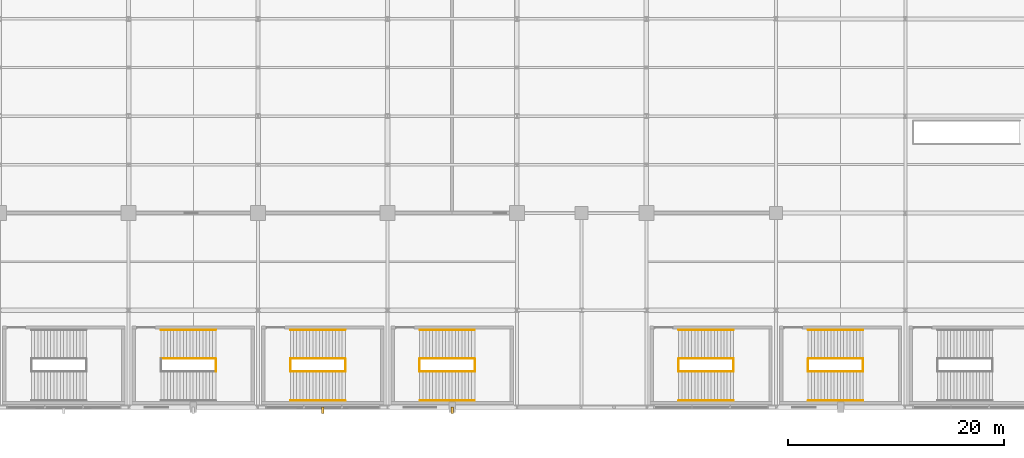
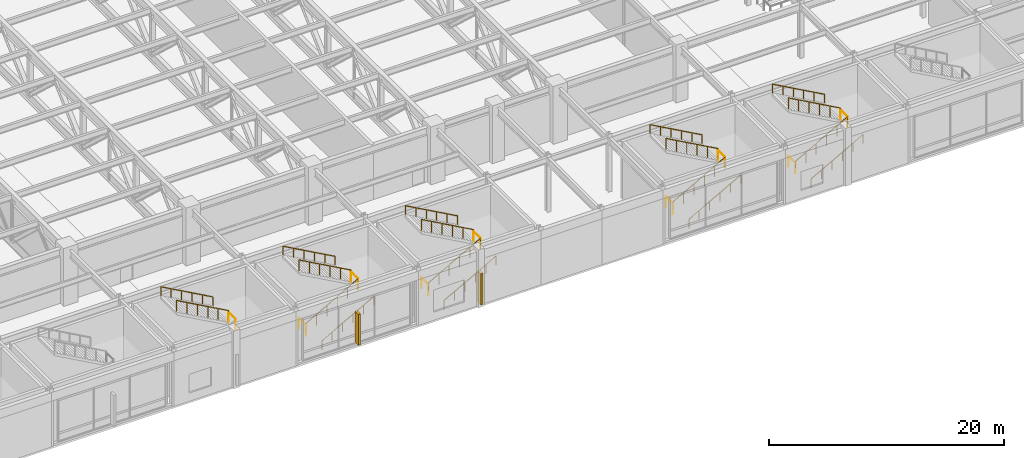
# One storey, part 102 of 108: 27 railings, 2 shading devices.
"""IFC4 building model written with IfcOpenShell, lengths in metres."""

from ifc_helpers import new_model, si_unit, direction, frame, origin, origin_2d, place, context, subcontext, project, spatial, rectangle, circle, extrude, material, type_object, element, save


model = new_model("IFC4")

# Units and contexts
model_context = context("Model", 3, precision=1e-05, world=origin(), true_north=direction((0.0, 1.0)))
body_context = subcontext(model_context, "Body", "Model", "MODEL_VIEW")
ifc_project = project(units=[si_unit("LENGTHUNIT", "METRE"), si_unit("AREAUNIT", "SQUARE_METRE"), si_unit("VOLUMEUNIT", "CUBIC_METRE"), si_unit("PLANEANGLEUNIT", "RADIAN"), si_unit("MASSUNIT", "GRAM", prefix="KILO")], contexts=[model_context])

# Site, building, storey
site_placement = place(None, origin())
site = spatial("IfcSite", under=ifc_project, at=site_placement, CompositionType="ELEMENT")
building_placement = place(site_placement, origin())
building = spatial("IfcBuilding", under=site, at=building_placement, Name="Kaldorvane Square Convention Centre", CompositionType="ELEMENT")
storey_placement = place(building_placement, frame((0.0, 0.0, 12.0)))
storey = spatial("IfcBuildingStorey", under=building, at=storey_placement, Name="L02", CompositionType="ELEMENT", Elevation=12.0)

# Railings
ifc_material_1 = material(Name="Architectural Painted Steel", Category="steel")
railing_type_1 = type_object("IfcRailingType", Name="RL-GUARD-1120", PredefinedType="BALUSTRADE", material=ifc_material_1)
railing_1_placement = place(storey_placement, frame((62.089996337890625, 3.30999755859375, 3.0)))
element("IfcRailing", 1, at=railing_1_placement, inside=storey, type_object=railing_type_1, Name="Convention Exit Stair C5 Half-Landing Guard (L02)", PredefinedType="BALUSTRADE", context=body_context, shape_type="SweptSolid", body=[
    extrude(circle(Radius=0.0240020751953125, at=origin_2d()), frame((0.0, 0.0, 1.0959930419921875), z_axis=(0.0, 1.0, 0.0), x_axis=(-1.0, 0.0, 0.0)), (0.0, 0.0, 1.0), 1.19000244140625),
    extrude(circle(Radius=0.02099609375, at=origin_2d()), origin(), (0.0, 0.0, 1.0), 1.071990966796875),
    extrude(circle(Radius=0.02099609375, at=origin_2d()), frame((0.0, 1.19000244140625, 0.0)), (0.0, 0.0, 1.0), 1.071990966796875),
])
railing_2_placement = place(storey_placement, frame((62.089996337890625, 4.5099945068359375, 3.1666717529296875)))
element("IfcRailing", 2, at=railing_2_placement, inside=storey, type_object=railing_type_1, Name="Convention Exit Stair C5 Flight 2 Guard (L02)", PredefinedType="BALUSTRADE", context=body_context, shape_type="SweptSolid", body=[
    extrude(circle(Radius=0.0240020751953125, at=origin_2d()), frame((0.0, 0.0, 1.0959930419921875), z_axis=(-0.874157276122, 0.0, 0.485642931179), x_axis=(0.0, -1.0, 0.0)), (0.0, 0.0, 1.0), 5.8341827392578125),
    extrude(circle(Radius=0.02099609375, at=origin_2d()), origin(), (0.0, 0.0, 1.0), 1.071990966796875),
    extrude(circle(Radius=0.02099609375, at=origin_2d()), frame((-1.0200042724609375, 0.0, 0.5666656494140625)), (0.0, 0.0, 1.0), 1.071990966796875),
    extrude(circle(Radius=0.02099609375, at=origin_2d()), frame((-2.0399932861328125, 0.0, 1.133331298828125)), (0.0, 0.0, 1.0), 1.071990966796875),
    extrude(circle(Radius=0.02099609375, at=origin_2d()), frame((-3.05999755859375, 0.0, 1.6999969482421875)), (0.0, 0.0, 1.0), 1.071990966796875),
    extrude(circle(Radius=0.02099609375, at=origin_2d()), frame((-4.079986572265625, 0.0, 2.26666259765625)), (0.0, 0.0, 1.0), 1.071990966796875),
    extrude(circle(Radius=0.02099609375, at=origin_2d()), frame((-5.0999908447265625, 0.0, 2.8333282470703125)), (0.0, 0.0, 1.0), 1.071990966796875),
])
for number, where, name in (
    (3, (68.99000549316406, 3.30999755859375, 0.0), "Convention Exit Stair C6 Floor Well Guard (L02)"),
    (4, (74.08999633789062, 3.30999755859375, 3.0), "Convention Exit Stair C6 Half-Landing Guard (L02)"),
):
    element("IfcRailing", number, at=place(storey_placement, frame(where)), inside=storey, type_object=railing_type_1, Name=name, PredefinedType="BALUSTRADE", context=body_context, shape_type="SweptSolid", body=[
        extrude(circle(Radius=0.0240020751953125, at=origin_2d()), frame((0.0, 0.0, 1.0959930419921875), z_axis=(0.0, 1.0, 0.0), x_axis=(-1.0, 0.0, 0.0)), (0.0, 0.0, 1.0), 1.19000244140625),
        extrude(circle(Radius=0.02099609375, at=origin_2d()), origin(), (0.0, 0.0, 1.0), 1.071990966796875),
        extrude(circle(Radius=0.02099609375, at=origin_2d()), frame((0.0, 1.19000244140625, 0.0)), (0.0, 0.0, 1.0), 1.071990966796875),
    ])
railing_3_placement = place(storey_placement, frame((68.99000549316406, 3.3000030517578125, 0.1666717529296875)))
element("IfcRailing", 5, at=railing_3_placement, inside=storey, type_object=railing_type_1, Name="Convention Exit Stair C6 Flight 1 Guard (L02)", PredefinedType="BALUSTRADE", context=body_context, shape_type="SweptSolid", body=[
    extrude(circle(Radius=0.0240020751953125, at=origin_2d()), frame((0.0, 0.0, 1.0959930419921875), z_axis=(0.874157276122, 0.0, 0.485642931179), x_axis=(0.0, 1.0, 0.0)), (0.0, 0.0, 1.0), 5.8341827392578125),
    extrude(circle(Radius=0.02099609375, at=origin_2d()), origin(), (0.0, 0.0, 1.0), 1.071990966796875),
    extrude(circle(Radius=0.02099609375, at=origin_2d()), frame((1.0200042724609375, 0.0, 0.5666656494140625)), (0.0, 0.0, 1.0), 1.071990966796875),
    extrude(circle(Radius=0.02099609375, at=origin_2d()), frame((2.0399932861328125, 0.0, 1.133331298828125)), (0.0, 0.0, 1.0), 1.071990966796875),
    extrude(circle(Radius=0.02099609375, at=origin_2d()), frame((3.05999755859375, 0.0, 1.6999969482421875)), (0.0, 0.0, 1.0), 1.071990966796875),
    extrude(circle(Radius=0.02099609375, at=origin_2d()), frame((4.079986572265625, 0.0, 2.26666259765625)), (0.0, 0.0, 1.0), 1.071990966796875),
    extrude(circle(Radius=0.02099609375, at=origin_2d()), frame((5.0999908447265625, 0.0, 2.8333282470703125)), (0.0, 0.0, 1.0), 1.071990966796875),
])
railing_4_placement = place(storey_placement, frame((74.08999633789062, 4.5099945068359375, 3.1666717529296875)))
element("IfcRailing", 6, at=railing_4_placement, inside=storey, type_object=railing_type_1, Name="Convention Exit Stair C6 Flight 2 Guard (L02)", PredefinedType="BALUSTRADE", context=body_context, shape_type="SweptSolid", body=[
    extrude(circle(Radius=0.0240020751953125, at=origin_2d()), frame((0.0, 0.0, 1.0959930419921875), z_axis=(-0.874157276122, 0.0, 0.485642931179), x_axis=(0.0, -1.0, 0.0)), (0.0, 0.0, 1.0), 5.8341827392578125),
    extrude(circle(Radius=0.02099609375, at=origin_2d()), origin(), (0.0, 0.0, 1.0), 1.071990966796875),
    extrude(circle(Radius=0.02099609375, at=origin_2d()), frame((-1.0200042724609375, 0.0, 0.5666656494140625)), (0.0, 0.0, 1.0), 1.071990966796875),
    extrude(circle(Radius=0.02099609375, at=origin_2d()), frame((-2.0399932861328125, 0.0, 1.133331298828125)), (0.0, 0.0, 1.0), 1.071990966796875),
    extrude(circle(Radius=0.02099609375, at=origin_2d()), frame((-3.05999755859375, 0.0, 1.6999969482421875)), (0.0, 0.0, 1.0), 1.071990966796875),
    extrude(circle(Radius=0.02099609375, at=origin_2d()), frame((-4.079986572265625, 0.0, 2.26666259765625)), (0.0, 0.0, 1.0), 1.071990966796875),
    extrude(circle(Radius=0.02099609375, at=origin_2d()), frame((-5.0999908447265625, 0.0, 2.8333282470703125)), (0.0, 0.0, 1.0), 1.071990966796875),
])
for number, where, name in (
    (7, (80.99000549316406, 3.30999755859375, 0.0), "Convention Exit Stair C7 Floor Well Guard (L02)"),
    (8, (86.08999633789062, 3.30999755859375, 3.0), "Convention Exit Stair C7 Half-Landing Guard (L02)"),
):
    element("IfcRailing", number, at=place(storey_placement, frame(where)), inside=storey, type_object=railing_type_1, Name=name, PredefinedType="BALUSTRADE", context=body_context, shape_type="SweptSolid", body=[
        extrude(circle(Radius=0.0240020751953125, at=origin_2d()), frame((0.0, 0.0, 1.0959930419921875), z_axis=(0.0, 1.0, 0.0), x_axis=(-1.0, 0.0, 0.0)), (0.0, 0.0, 1.0), 1.19000244140625),
        extrude(circle(Radius=0.02099609375, at=origin_2d()), origin(), (0.0, 0.0, 1.0), 1.071990966796875),
        extrude(circle(Radius=0.02099609375, at=origin_2d()), frame((0.0, 1.19000244140625, 0.0)), (0.0, 0.0, 1.0), 1.071990966796875),
    ])
railing_5_placement = place(storey_placement, frame((80.99000549316406, 3.3000030517578125, 0.1666717529296875)))
element("IfcRailing", 9, at=railing_5_placement, inside=storey, type_object=railing_type_1, Name="Convention Exit Stair C7 Flight 1 Guard (L02)", PredefinedType="BALUSTRADE", context=body_context, shape_type="SweptSolid", body=[
    extrude(circle(Radius=0.0240020751953125, at=origin_2d()), frame((0.0, 0.0, 1.0959930419921875), z_axis=(0.874157276122, 0.0, 0.485642931179), x_axis=(0.0, 1.0, 0.0)), (0.0, 0.0, 1.0), 5.8341827392578125),
    extrude(circle(Radius=0.02099609375, at=origin_2d()), origin(), (0.0, 0.0, 1.0), 1.071990966796875),
    extrude(circle(Radius=0.02099609375, at=origin_2d()), frame((1.0200042724609375, 0.0, 0.5666656494140625)), (0.0, 0.0, 1.0), 1.071990966796875),
    extrude(circle(Radius=0.02099609375, at=origin_2d()), frame((2.0399932861328125, 0.0, 1.133331298828125)), (0.0, 0.0, 1.0), 1.071990966796875),
    extrude(circle(Radius=0.02099609375, at=origin_2d()), frame((3.05999755859375, 0.0, 1.6999969482421875)), (0.0, 0.0, 1.0), 1.071990966796875),
    extrude(circle(Radius=0.02099609375, at=origin_2d()), frame((4.079986572265625, 0.0, 2.26666259765625)), (0.0, 0.0, 1.0), 1.071990966796875),
    extrude(circle(Radius=0.02099609375, at=origin_2d()), frame((5.0999908447265625, 0.0, 2.8333282470703125)), (0.0, 0.0, 1.0), 1.071990966796875),
])
railing_6_placement = place(storey_placement, frame((86.08999633789062, 4.5099945068359375, 3.1666717529296875)))
element("IfcRailing", 10, at=railing_6_placement, inside=storey, type_object=railing_type_1, Name="Convention Exit Stair C7 Flight 2 Guard (L02)", PredefinedType="BALUSTRADE", context=body_context, shape_type="SweptSolid", body=[
    extrude(circle(Radius=0.0240020751953125, at=origin_2d()), frame((0.0, 0.0, 1.0959930419921875), z_axis=(-0.874157276122, 0.0, 0.485642931179), x_axis=(0.0, -1.0, 0.0)), (0.0, 0.0, 1.0), 5.8341827392578125),
    extrude(circle(Radius=0.02099609375, at=origin_2d()), origin(), (0.0, 0.0, 1.0), 1.071990966796875),
    extrude(circle(Radius=0.02099609375, at=origin_2d()), frame((-1.0200042724609375, 0.0, 0.5666656494140625)), (0.0, 0.0, 1.0), 1.071990966796875),
    extrude(circle(Radius=0.02099609375, at=origin_2d()), frame((-2.0399932861328125, 0.0, 1.133331298828125)), (0.0, 0.0, 1.0), 1.071990966796875),
    extrude(circle(Radius=0.02099609375, at=origin_2d()), frame((-3.05999755859375, 0.0, 1.6999969482421875)), (0.0, 0.0, 1.0), 1.071990966796875),
    extrude(circle(Radius=0.02099609375, at=origin_2d()), frame((-4.079986572265625, 0.0, 2.26666259765625)), (0.0, 0.0, 1.0), 1.071990966796875),
    extrude(circle(Radius=0.02099609375, at=origin_2d()), frame((-5.0999908447265625, 0.0, 2.8333282470703125)), (0.0, 0.0, 1.0), 1.071990966796875),
])
for number, where, name in (
    (11, (104.99000549316406, 3.30999755859375, 0.0), "Convention Exit Stair C8 Floor Well Guard (L02)"),
    (12, (110.08999633789062, 3.30999755859375, 3.0), "Convention Exit Stair C8 Half-Landing Guard (L02)"),
):
    element("IfcRailing", number, at=place(storey_placement, frame(where)), inside=storey, type_object=railing_type_1, Name=name, PredefinedType="BALUSTRADE", context=body_context, shape_type="SweptSolid", body=[
        extrude(circle(Radius=0.0240020751953125, at=origin_2d()), frame((0.0, 0.0, 1.0959930419921875), z_axis=(0.0, 1.0, 0.0), x_axis=(-1.0, 0.0, 0.0)), (0.0, 0.0, 1.0), 1.19000244140625),
        extrude(circle(Radius=0.02099609375, at=origin_2d()), origin(), (0.0, 0.0, 1.0), 1.071990966796875),
        extrude(circle(Radius=0.02099609375, at=origin_2d()), frame((0.0, 1.19000244140625, 0.0)), (0.0, 0.0, 1.0), 1.071990966796875),
    ])
railing_7_placement = place(storey_placement, frame((104.99000549316406, 3.3000030517578125, 0.1666717529296875)))
element("IfcRailing", 13, at=railing_7_placement, inside=storey, type_object=railing_type_1, Name="Convention Exit Stair C8 Flight 1 Guard (L02)", PredefinedType="BALUSTRADE", context=body_context, shape_type="SweptSolid", body=[
    extrude(circle(Radius=0.0240020751953125, at=origin_2d()), frame((0.0, 0.0, 1.0959930419921875), z_axis=(0.874157276122, 0.0, 0.485642931179), x_axis=(0.0, 1.0, 0.0)), (0.0, 0.0, 1.0), 5.8341827392578125),
    extrude(circle(Radius=0.02099609375, at=origin_2d()), origin(), (0.0, 0.0, 1.0), 1.071990966796875),
    extrude(circle(Radius=0.02099609375, at=origin_2d()), frame((1.0200042724609375, 0.0, 0.5666656494140625)), (0.0, 0.0, 1.0), 1.071990966796875),
    extrude(circle(Radius=0.02099609375, at=origin_2d()), frame((2.0399932861328125, 0.0, 1.133331298828125)), (0.0, 0.0, 1.0), 1.071990966796875),
    extrude(circle(Radius=0.02099609375, at=origin_2d()), frame((3.05999755859375, 0.0, 1.6999969482421875)), (0.0, 0.0, 1.0), 1.071990966796875),
    extrude(circle(Radius=0.02099609375, at=origin_2d()), frame((4.079986572265625, 0.0, 2.26666259765625)), (0.0, 0.0, 1.0), 1.071990966796875),
    extrude(circle(Radius=0.02099609375, at=origin_2d()), frame((5.0999908447265625, 0.0, 2.8333282470703125)), (0.0, 0.0, 1.0), 1.071990966796875),
])
railing_8_placement = place(storey_placement, frame((110.08999633789062, 4.5099945068359375, 3.1666717529296875)))
element("IfcRailing", 14, at=railing_8_placement, inside=storey, type_object=railing_type_1, Name="Convention Exit Stair C8 Flight 2 Guard (L02)", PredefinedType="BALUSTRADE", context=body_context, shape_type="SweptSolid", body=[
    extrude(circle(Radius=0.0240020751953125, at=origin_2d()), frame((0.0, 0.0, 1.0959930419921875), z_axis=(-0.874157276122, 0.0, 0.485642931179), x_axis=(0.0, -1.0, 0.0)), (0.0, 0.0, 1.0), 5.8341827392578125),
    extrude(circle(Radius=0.02099609375, at=origin_2d()), origin(), (0.0, 0.0, 1.0), 1.071990966796875),
    extrude(circle(Radius=0.02099609375, at=origin_2d()), frame((-1.0200042724609375, 0.0, 0.5666656494140625)), (0.0, 0.0, 1.0), 1.071990966796875),
    extrude(circle(Radius=0.02099609375, at=origin_2d()), frame((-2.0399932861328125, 0.0, 1.133331298828125)), (0.0, 0.0, 1.0), 1.071990966796875),
    extrude(circle(Radius=0.02099609375, at=origin_2d()), frame((-3.05999755859375, 0.0, 1.6999969482421875)), (0.0, 0.0, 1.0), 1.071990966796875),
    extrude(circle(Radius=0.02099609375, at=origin_2d()), frame((-4.079986572265625, 0.0, 2.26666259765625)), (0.0, 0.0, 1.0), 1.071990966796875),
    extrude(circle(Radius=0.02099609375, at=origin_2d()), frame((-5.0999908447265625, 0.0, 2.8333282470703125)), (0.0, 0.0, 1.0), 1.071990966796875),
])
for number, where, name in (
    (15, (116.99000549316406, 3.30999755859375, 0.0), "Convention Exit Stair C9 Floor Well Guard (L02)"),
    (16, (122.08999633789062, 3.30999755859375, 3.0), "Convention Exit Stair C9 Half-Landing Guard (L02)"),
):
    element("IfcRailing", number, at=place(storey_placement, frame(where)), inside=storey, type_object=railing_type_1, Name=name, PredefinedType="BALUSTRADE", context=body_context, shape_type="SweptSolid", body=[
        extrude(circle(Radius=0.0240020751953125, at=origin_2d()), frame((0.0, 0.0, 1.0959930419921875), z_axis=(0.0, 1.0, 0.0), x_axis=(-1.0, 0.0, 0.0)), (0.0, 0.0, 1.0), 1.19000244140625),
        extrude(circle(Radius=0.02099609375, at=origin_2d()), origin(), (0.0, 0.0, 1.0), 1.071990966796875),
        extrude(circle(Radius=0.02099609375, at=origin_2d()), frame((0.0, 1.19000244140625, 0.0)), (0.0, 0.0, 1.0), 1.071990966796875),
    ])
railing_9_placement = place(storey_placement, frame((116.99000549316406, 3.3000030517578125, 0.1666717529296875)))
element("IfcRailing", 17, at=railing_9_placement, inside=storey, type_object=railing_type_1, Name="Convention Exit Stair C9 Flight 1 Guard (L02)", PredefinedType="BALUSTRADE", context=body_context, shape_type="SweptSolid", body=[
    extrude(circle(Radius=0.0240020751953125, at=origin_2d()), frame((0.0, 0.0, 1.0959930419921875), z_axis=(0.874157276122, 0.0, 0.485642931179), x_axis=(0.0, 1.0, 0.0)), (0.0, 0.0, 1.0), 5.8341827392578125),
    extrude(circle(Radius=0.02099609375, at=origin_2d()), origin(), (0.0, 0.0, 1.0), 1.071990966796875),
    extrude(circle(Radius=0.02099609375, at=origin_2d()), frame((1.0200042724609375, 0.0, 0.5666656494140625)), (0.0, 0.0, 1.0), 1.071990966796875),
    extrude(circle(Radius=0.02099609375, at=origin_2d()), frame((2.0399932861328125, 0.0, 1.133331298828125)), (0.0, 0.0, 1.0), 1.071990966796875),
    extrude(circle(Radius=0.02099609375, at=origin_2d()), frame((3.05999755859375, 0.0, 1.6999969482421875)), (0.0, 0.0, 1.0), 1.071990966796875),
    extrude(circle(Radius=0.02099609375, at=origin_2d()), frame((4.079986572265625, 0.0, 2.26666259765625)), (0.0, 0.0, 1.0), 1.071990966796875),
    extrude(circle(Radius=0.02099609375, at=origin_2d()), frame((5.0999908447265625, 0.0, 2.8333282470703125)), (0.0, 0.0, 1.0), 1.071990966796875),
])
railing_10_placement = place(storey_placement, frame((122.08999633789062, 4.5099945068359375, 3.1666717529296875)))
element("IfcRailing", 18, at=railing_10_placement, inside=storey, type_object=railing_type_1, Name="Convention Exit Stair C9 Flight 2 Guard (L02)", PredefinedType="BALUSTRADE", context=body_context, shape_type="SweptSolid", body=[
    extrude(circle(Radius=0.0240020751953125, at=origin_2d()), frame((0.0, 0.0, 1.0959930419921875), z_axis=(-0.874157276122, 0.0, 0.485642931179), x_axis=(0.0, -1.0, 0.0)), (0.0, 0.0, 1.0), 5.8341827392578125),
    extrude(circle(Radius=0.02099609375, at=origin_2d()), origin(), (0.0, 0.0, 1.0), 1.071990966796875),
    extrude(circle(Radius=0.02099609375, at=origin_2d()), frame((-1.0200042724609375, 0.0, 0.5666656494140625)), (0.0, 0.0, 1.0), 1.071990966796875),
    extrude(circle(Radius=0.02099609375, at=origin_2d()), frame((-2.0399932861328125, 0.0, 1.133331298828125)), (0.0, 0.0, 1.0), 1.071990966796875),
    extrude(circle(Radius=0.02099609375, at=origin_2d()), frame((-3.05999755859375, 0.0, 1.6999969482421875)), (0.0, 0.0, 1.0), 1.071990966796875),
    extrude(circle(Radius=0.02099609375, at=origin_2d()), frame((-4.079986572265625, 0.0, 2.26666259765625)), (0.0, 0.0, 1.0), 1.071990966796875),
    extrude(circle(Radius=0.02099609375, at=origin_2d()), frame((-5.0999908447265625, 0.0, 2.8333282470703125)), (0.0, 0.0, 1.0), 1.071990966796875),
])
railing_type_2 = type_object("IfcRailingType", Name="RL-HAND-915", PredefinedType="HANDRAIL", material=ifc_material_1)
railing_11_placement = place(storey_placement, frame((62.089996337890625, 7.19000244140625, 3.1666717529296875)))
element("IfcRailing", 19, at=railing_11_placement, inside=storey, type_object=railing_type_2, Name="Convention Exit Stair C5 Wall Handrail 2 (L02)", PredefinedType="HANDRAIL", context=body_context, shape_type="SweptSolid", body=[
    extrude(circle(Radius=0.0240020751953125, at=origin_2d()), frame((0.0, 0.0, 0.8909912109375), z_axis=(-0.874157276122, 0.0, 0.485642931179), x_axis=(0.0, -1.0, 0.0)), (0.0, 0.0, 1.0), 5.8341827392578125),
    extrude(circle(Radius=0.02099609375, at=origin_2d()), origin(), (0.0, 0.0, 1.0), 0.8669891357421875),
    extrude(circle(Radius=0.02099609375, at=origin_2d()), frame((-1.0200042724609375, 0.0, 0.5666656494140625)), (0.0, 0.0, 1.0), 0.8669891357421875),
    extrude(circle(Radius=0.02099609375, at=origin_2d()), frame((-2.0399932861328125, 0.0, 1.133331298828125)), (0.0, 0.0, 1.0), 0.8669891357421875),
    extrude(circle(Radius=0.02099609375, at=origin_2d()), frame((-3.05999755859375, 0.0, 1.6999969482421875)), (0.0, 0.0, 1.0), 0.8669891357421875),
    extrude(circle(Radius=0.02099609375, at=origin_2d()), frame((-4.079986572265625, 0.0, 2.26666259765625)), (0.0, 0.0, 1.0), 0.8669891357421875),
    extrude(circle(Radius=0.02099609375, at=origin_2d()), frame((-5.0999908447265625, 0.0, 2.8333282470703125)), (0.0, 0.0, 1.0), 0.8669891357421875),
])
railing_12_placement = place(storey_placement, frame((68.99000549316406, 0.6199951171875, 0.1666717529296875)))
element("IfcRailing", 20, at=railing_12_placement, inside=storey, type_object=railing_type_2, Name="Convention Exit Stair C6 Wall Handrail 1 (L02)", PredefinedType="HANDRAIL", context=body_context, shape_type="SweptSolid", body=[
    extrude(circle(Radius=0.0240020751953125, at=origin_2d()), frame((0.0, 0.0, 0.8909912109375), z_axis=(0.874157276122, 0.0, 0.485642931179), x_axis=(0.0, 1.0, 0.0)), (0.0, 0.0, 1.0), 5.8341827392578125),
    extrude(circle(Radius=0.02099609375, at=origin_2d()), origin(), (0.0, 0.0, 1.0), 0.8669891357421875),
    extrude(circle(Radius=0.02099609375, at=origin_2d()), frame((1.0200042724609375, 0.0, 0.5666656494140625)), (0.0, 0.0, 1.0), 0.8669891357421875),
    extrude(circle(Radius=0.02099609375, at=origin_2d()), frame((2.0399932861328125, 0.0, 1.133331298828125)), (0.0, 0.0, 1.0), 0.8669891357421875),
    extrude(circle(Radius=0.02099609375, at=origin_2d()), frame((3.05999755859375, 0.0, 1.6999969482421875)), (0.0, 0.0, 1.0), 0.8669891357421875),
    extrude(circle(Radius=0.02099609375, at=origin_2d()), frame((4.079986572265625, 0.0, 2.26666259765625)), (0.0, 0.0, 1.0), 0.8669891357421875),
    extrude(circle(Radius=0.02099609375, at=origin_2d()), frame((5.0999908447265625, 0.0, 2.8333282470703125)), (0.0, 0.0, 1.0), 0.8669891357421875),
])
railing_13_placement = place(storey_placement, frame((74.08999633789062, 7.19000244140625, 3.1666717529296875)))
element("IfcRailing", 21, at=railing_13_placement, inside=storey, type_object=railing_type_2, Name="Convention Exit Stair C6 Wall Handrail 2 (L02)", PredefinedType="HANDRAIL", context=body_context, shape_type="SweptSolid", body=[
    extrude(circle(Radius=0.0240020751953125, at=origin_2d()), frame((0.0, 0.0, 0.8909912109375), z_axis=(-0.874157276122, 0.0, 0.485642931179), x_axis=(0.0, -1.0, 0.0)), (0.0, 0.0, 1.0), 5.8341827392578125),
    extrude(circle(Radius=0.02099609375, at=origin_2d()), origin(), (0.0, 0.0, 1.0), 0.8669891357421875),
    extrude(circle(Radius=0.02099609375, at=origin_2d()), frame((-1.0200042724609375, 0.0, 0.5666656494140625)), (0.0, 0.0, 1.0), 0.8669891357421875),
    extrude(circle(Radius=0.02099609375, at=origin_2d()), frame((-2.0399932861328125, 0.0, 1.133331298828125)), (0.0, 0.0, 1.0), 0.8669891357421875),
    extrude(circle(Radius=0.02099609375, at=origin_2d()), frame((-3.05999755859375, 0.0, 1.6999969482421875)), (0.0, 0.0, 1.0), 0.8669891357421875),
    extrude(circle(Radius=0.02099609375, at=origin_2d()), frame((-4.079986572265625, 0.0, 2.26666259765625)), (0.0, 0.0, 1.0), 0.8669891357421875),
    extrude(circle(Radius=0.02099609375, at=origin_2d()), frame((-5.0999908447265625, 0.0, 2.8333282470703125)), (0.0, 0.0, 1.0), 0.8669891357421875),
])
railing_14_placement = place(storey_placement, frame((80.99000549316406, 0.6199951171875, 0.1666717529296875)))
element("IfcRailing", 22, at=railing_14_placement, inside=storey, type_object=railing_type_2, Name="Convention Exit Stair C7 Wall Handrail 1 (L02)", PredefinedType="HANDRAIL", context=body_context, shape_type="SweptSolid", body=[
    extrude(circle(Radius=0.0240020751953125, at=origin_2d()), frame((0.0, 0.0, 0.8909912109375), z_axis=(0.874157276122, 0.0, 0.485642931179), x_axis=(0.0, 1.0, 0.0)), (0.0, 0.0, 1.0), 5.8341827392578125),
    extrude(circle(Radius=0.02099609375, at=origin_2d()), origin(), (0.0, 0.0, 1.0), 0.8669891357421875),
    extrude(circle(Radius=0.02099609375, at=origin_2d()), frame((1.0200042724609375, 0.0, 0.5666656494140625)), (0.0, 0.0, 1.0), 0.8669891357421875),
    extrude(circle(Radius=0.02099609375, at=origin_2d()), frame((2.0399932861328125, 0.0, 1.133331298828125)), (0.0, 0.0, 1.0), 0.8669891357421875),
    extrude(circle(Radius=0.02099609375, at=origin_2d()), frame((3.05999755859375, 0.0, 1.6999969482421875)), (0.0, 0.0, 1.0), 0.8669891357421875),
    extrude(circle(Radius=0.02099609375, at=origin_2d()), frame((4.079986572265625, 0.0, 2.26666259765625)), (0.0, 0.0, 1.0), 0.8669891357421875),
    extrude(circle(Radius=0.02099609375, at=origin_2d()), frame((5.0999908447265625, 0.0, 2.8333282470703125)), (0.0, 0.0, 1.0), 0.8669891357421875),
])
railing_15_placement = place(storey_placement, frame((86.08999633789062, 7.19000244140625, 3.1666717529296875)))
element("IfcRailing", 23, at=railing_15_placement, inside=storey, type_object=railing_type_2, Name="Convention Exit Stair C7 Wall Handrail 2 (L02)", PredefinedType="HANDRAIL", context=body_context, shape_type="SweptSolid", body=[
    extrude(circle(Radius=0.0240020751953125, at=origin_2d()), frame((0.0, 0.0, 0.8909912109375), z_axis=(-0.874157276122, 0.0, 0.485642931179), x_axis=(0.0, -1.0, 0.0)), (0.0, 0.0, 1.0), 5.8341827392578125),
    extrude(circle(Radius=0.02099609375, at=origin_2d()), origin(), (0.0, 0.0, 1.0), 0.8669891357421875),
    extrude(circle(Radius=0.02099609375, at=origin_2d()), frame((-1.0200042724609375, 0.0, 0.5666656494140625)), (0.0, 0.0, 1.0), 0.8669891357421875),
    extrude(circle(Radius=0.02099609375, at=origin_2d()), frame((-2.0399932861328125, 0.0, 1.133331298828125)), (0.0, 0.0, 1.0), 0.8669891357421875),
    extrude(circle(Radius=0.02099609375, at=origin_2d()), frame((-3.05999755859375, 0.0, 1.6999969482421875)), (0.0, 0.0, 1.0), 0.8669891357421875),
    extrude(circle(Radius=0.02099609375, at=origin_2d()), frame((-4.079986572265625, 0.0, 2.26666259765625)), (0.0, 0.0, 1.0), 0.8669891357421875),
    extrude(circle(Radius=0.02099609375, at=origin_2d()), frame((-5.0999908447265625, 0.0, 2.8333282470703125)), (0.0, 0.0, 1.0), 0.8669891357421875),
])
railing_16_placement = place(storey_placement, frame((104.99000549316406, 0.6199951171875, 0.1666717529296875)))
element("IfcRailing", 24, at=railing_16_placement, inside=storey, type_object=railing_type_2, Name="Convention Exit Stair C8 Wall Handrail 1 (L02)", PredefinedType="HANDRAIL", context=body_context, shape_type="SweptSolid", body=[
    extrude(circle(Radius=0.0240020751953125, at=origin_2d()), frame((0.0, 0.0, 0.8909912109375), z_axis=(0.874157276122, 0.0, 0.485642931179), x_axis=(0.0, 1.0, 0.0)), (0.0, 0.0, 1.0), 5.8341827392578125),
    extrude(circle(Radius=0.02099609375, at=origin_2d()), origin(), (0.0, 0.0, 1.0), 0.8669891357421875),
    extrude(circle(Radius=0.02099609375, at=origin_2d()), frame((1.0200042724609375, 0.0, 0.5666656494140625)), (0.0, 0.0, 1.0), 0.8669891357421875),
    extrude(circle(Radius=0.02099609375, at=origin_2d()), frame((2.0399932861328125, 0.0, 1.133331298828125)), (0.0, 0.0, 1.0), 0.8669891357421875),
    extrude(circle(Radius=0.02099609375, at=origin_2d()), frame((3.05999755859375, 0.0, 1.6999969482421875)), (0.0, 0.0, 1.0), 0.8669891357421875),
    extrude(circle(Radius=0.02099609375, at=origin_2d()), frame((4.079986572265625, 0.0, 2.26666259765625)), (0.0, 0.0, 1.0), 0.8669891357421875),
    extrude(circle(Radius=0.02099609375, at=origin_2d()), frame((5.0999908447265625, 0.0, 2.8333282470703125)), (0.0, 0.0, 1.0), 0.8669891357421875),
])
railing_17_placement = place(storey_placement, frame((110.08999633789062, 7.19000244140625, 3.1666717529296875)))
element("IfcRailing", 25, at=railing_17_placement, inside=storey, type_object=railing_type_2, Name="Convention Exit Stair C8 Wall Handrail 2 (L02)", PredefinedType="HANDRAIL", context=body_context, shape_type="SweptSolid", body=[
    extrude(circle(Radius=0.0240020751953125, at=origin_2d()), frame((0.0, 0.0, 0.8909912109375), z_axis=(-0.874157276122, 0.0, 0.485642931179), x_axis=(0.0, -1.0, 0.0)), (0.0, 0.0, 1.0), 5.8341827392578125),
    extrude(circle(Radius=0.02099609375, at=origin_2d()), origin(), (0.0, 0.0, 1.0), 0.8669891357421875),
    extrude(circle(Radius=0.02099609375, at=origin_2d()), frame((-1.0200042724609375, 0.0, 0.5666656494140625)), (0.0, 0.0, 1.0), 0.8669891357421875),
    extrude(circle(Radius=0.02099609375, at=origin_2d()), frame((-2.0399932861328125, 0.0, 1.133331298828125)), (0.0, 0.0, 1.0), 0.8669891357421875),
    extrude(circle(Radius=0.02099609375, at=origin_2d()), frame((-3.05999755859375, 0.0, 1.6999969482421875)), (0.0, 0.0, 1.0), 0.8669891357421875),
    extrude(circle(Radius=0.02099609375, at=origin_2d()), frame((-4.079986572265625, 0.0, 2.26666259765625)), (0.0, 0.0, 1.0), 0.8669891357421875),
    extrude(circle(Radius=0.02099609375, at=origin_2d()), frame((-5.0999908447265625, 0.0, 2.8333282470703125)), (0.0, 0.0, 1.0), 0.8669891357421875),
])
railing_18_placement = place(storey_placement, frame((116.99000549316406, 0.6199951171875, 0.1666717529296875)))
element("IfcRailing", 26, at=railing_18_placement, inside=storey, type_object=railing_type_2, Name="Convention Exit Stair C9 Wall Handrail 1 (L02)", PredefinedType="HANDRAIL", context=body_context, shape_type="SweptSolid", body=[
    extrude(circle(Radius=0.0240020751953125, at=origin_2d()), frame((0.0, 0.0, 0.8909912109375), z_axis=(0.874157276122, 0.0, 0.485642931179), x_axis=(0.0, 1.0, 0.0)), (0.0, 0.0, 1.0), 5.8341827392578125),
    extrude(circle(Radius=0.02099609375, at=origin_2d()), origin(), (0.0, 0.0, 1.0), 0.8669891357421875),
    extrude(circle(Radius=0.02099609375, at=origin_2d()), frame((1.0200042724609375, 0.0, 0.5666656494140625)), (0.0, 0.0, 1.0), 0.8669891357421875),
    extrude(circle(Radius=0.02099609375, at=origin_2d()), frame((2.0399932861328125, 0.0, 1.133331298828125)), (0.0, 0.0, 1.0), 0.8669891357421875),
    extrude(circle(Radius=0.02099609375, at=origin_2d()), frame((3.05999755859375, 0.0, 1.6999969482421875)), (0.0, 0.0, 1.0), 0.8669891357421875),
    extrude(circle(Radius=0.02099609375, at=origin_2d()), frame((4.079986572265625, 0.0, 2.26666259765625)), (0.0, 0.0, 1.0), 0.8669891357421875),
    extrude(circle(Radius=0.02099609375, at=origin_2d()), frame((5.0999908447265625, 0.0, 2.8333282470703125)), (0.0, 0.0, 1.0), 0.8669891357421875),
])
railing_19_placement = place(storey_placement, frame((122.08999633789062, 7.19000244140625, 3.1666717529296875)))
element("IfcRailing", 27, at=railing_19_placement, inside=storey, type_object=railing_type_2, Name="Convention Exit Stair C9 Wall Handrail 2 (L02)", PredefinedType="HANDRAIL", context=body_context, shape_type="SweptSolid", body=[
    extrude(circle(Radius=0.0240020751953125, at=origin_2d()), frame((0.0, 0.0, 0.8909912109375), z_axis=(-0.874157276122, 0.0, 0.485642931179), x_axis=(0.0, -1.0, 0.0)), (0.0, 0.0, 1.0), 5.8341827392578125),
    extrude(circle(Radius=0.02099609375, at=origin_2d()), origin(), (0.0, 0.0, 1.0), 0.8669891357421875),
    extrude(circle(Radius=0.02099609375, at=origin_2d()), frame((-1.0200042724609375, 0.0, 0.5666656494140625)), (0.0, 0.0, 1.0), 0.8669891357421875),
    extrude(circle(Radius=0.02099609375, at=origin_2d()), frame((-2.0399932861328125, 0.0, 1.133331298828125)), (0.0, 0.0, 1.0), 0.8669891357421875),
    extrude(circle(Radius=0.02099609375, at=origin_2d()), frame((-3.05999755859375, 0.0, 1.6999969482421875)), (0.0, 0.0, 1.0), 0.8669891357421875),
    extrude(circle(Radius=0.02099609375, at=origin_2d()), frame((-4.079986572265625, 0.0, 2.26666259765625)), (0.0, 0.0, 1.0), 0.8669891357421875),
    extrude(circle(Radius=0.02099609375, at=origin_2d()), frame((-5.0999908447265625, 0.0, 2.8333282470703125)), (0.0, 0.0, 1.0), 0.8669891357421875),
])

# Shading devices
ifc_material_2 = material(Name="Concrete f'c = 42 MPa (Normalweight) Precast", Category="concrete")
shading_device_type = type_object("IfcShadingDeviceType", Name="SD-FIN-600", PredefinedType="SHUTTER", material=ifc_material_2)
for number, where, z_axis, x_axis, name in (
    (28, (72.0, -0.279998779296875, 0.29998779296875), (0.0, 0.0, 1.0), (1.0, 0.0, 0.0), "Brutalist Precast Solar Fin (L02)"),
    (29, (84.0, -0.279998779296875, 0.29998779296875), (0.0, 0.0, 1.0), (1.0, 0.0, 0.0), "Brutalist Precast Solar Fin (L02)"),
):
    element("IfcShadingDevice", number, at=place(storey_placement, frame(where, z_axis=z_axis, x_axis=x_axis)), inside=storey, type_object=shading_device_type, Name=name, PredefinedType="SHUTTER", context=body_context, shape_type="SweptSolid", body=[
        extrude(rectangle(XDim=0.220001220703125, YDim=0.600006103515625, at=origin_2d()), origin(), (0.0, 0.0, 1.0), 3.1999969482421875),
    ])

save(model, "model.ifc")
